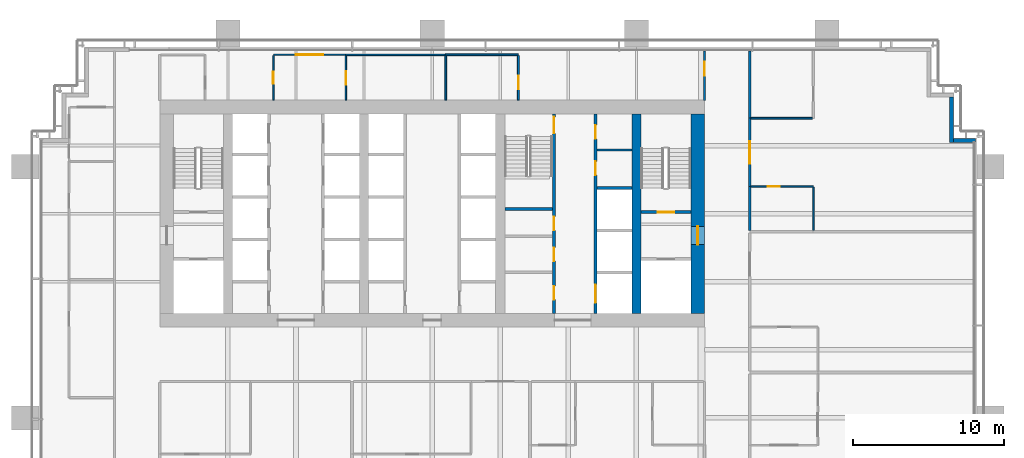
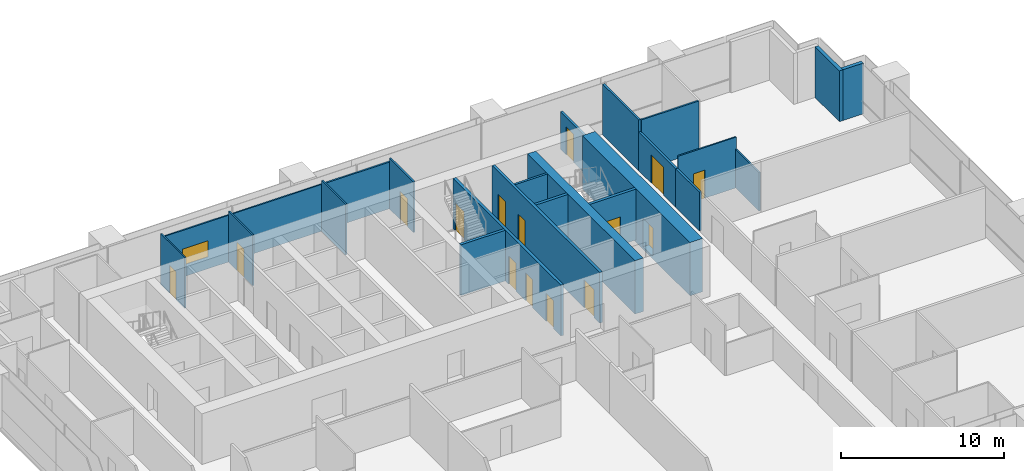
# One storey, part 15 of 19: 24 walls, 15 doors, 1 window, 16 openings.
"""IFC4 building model written with IfcOpenShell, lengths in metres."""

from ifc_helpers import new_model, si_unit, direction, frame, frame_2d, origin, place, context, subcontext, project, spatial, rectangle, extrude, material, layer, layer_set, type_object, element, fill, save


model = new_model("IFC4")

# Units and contexts
model_context = context("Model", 3, precision=1e-05, world=origin(), true_north=direction((0.0, 1.0)))
body_context = subcontext(model_context, "Body", "Model", "MODEL_VIEW")
ifc_project = project(units=[si_unit("LENGTHUNIT", "METRE"), si_unit("AREAUNIT", "SQUARE_METRE"), si_unit("VOLUMEUNIT", "CUBIC_METRE"), si_unit("PLANEANGLEUNIT", "RADIAN"), si_unit("MASSUNIT", "GRAM", prefix="KILO")], contexts=[model_context])

# Site, building, storey
site_placement = place(None, origin())
site = spatial("IfcSite", under=ifc_project, at=site_placement, CompositionType="ELEMENT")
building_placement = place(site_placement, origin())
building = spatial("IfcBuilding", under=site, at=building_placement, Name="Rattan Terrace Tower", CompositionType="ELEMENT")
storey_placement = place(building_placement, frame((0.0, 0.0, 111.699951171875)))
storey = spatial("IfcBuildingStorey", under=building, at=storey_placement, Name="L25", CompositionType="ELEMENT", Elevation=111.699951171875)

# Wall
ifc_material_1 = material(Name="Gypsum board partition")
ifc_layer_1 = layer(ifc_material_1, 0.14990234375)
ifc_layer_set_1 = layer_set([ifc_layer_1], Name="Core partition 150")
wall_type_1 = type_object("IfcWallType", Name="Core partition 150", PredefinedType="PARTITIONING", material=ifc_layer_set_1)
wall_1_placement = place(storey_placement, frame((10.89990234375, 4.199951171875, 0.0), z_axis=(0.0, 0.0, 1.0), x_axis=(1.0, 0.0, 0.0)))
element("IfcWall", 1, at=wall_1_placement, inside=storey, type_object=wall_type_1, Name="Riser room wall", PredefinedType="PARTITIONING", context=body_context, shape_type="SweptSolid", body=[
    extrude(rectangle(XDim=2.300048828125, YDim=0.14990234375, at=frame_2d((1.14990234375, 0.0))), origin(), (0.0, 0.0, 1.0), 3.800048828125),
])

# Wall, opening, door
ifc_material_2 = material(Name="Gypsum board partition")
ifc_layer_2 = layer(ifc_material_2, 0.199951171875)
ifc_layer_set_2 = layer_set([ifc_layer_2], Name="Core partition 200")
wall_type_2 = type_object("IfcWallType", Name="Core partition 200", PredefinedType="PARTITIONING", material=ifc_layer_set_2)
wall_2_placement = place(storey_placement, frame((13.800048828125, 0.10009765625, 0.0), z_axis=(0.0, 0.0, 1.0), x_axis=(1.0, 0.0, 0.0)))
wall_2 = element("IfcWall", 2, at=wall_2_placement, inside=storey, type_object=wall_type_2, Name="Stair enclosure wall", PredefinedType="PARTITIONING", context=body_context, shape_type="SweptSolid", body=[
    extrude(rectangle(XDim=3.300048828125, YDim=0.199951171875, at=frame_2d((1.64990234375, 0.0))), origin(), (0.0, 0.0, 1.0), 3.800048828125),
])
opening_1_placement = place(wall_2_placement, frame((1.10009765625, 0.0, 0.0)))
opening_1 = element("IfcOpeningElement", 3, at=opening_1_placement, cuts=wall_2, Name="Opening L25-D004", PredefinedType="OPENING", context=body_context, shape_type="SweptSolid", body=[
    extrude(rectangle(XDim=1.10009765625, YDim=2.10009765625, at=frame_2d((0.550048828125, 1.050048828125))), frame((0.0, 0.110595703125, 0.0), z_axis=(0.0, -1.0, 0.0), x_axis=(1.0, 0.0, 0.0)), (0.0, 0.0, 1.0), 0.220947265625),
])
ifc_material_3 = material(Name="Hollow-metal fire door leaf")
door_type_1 = type_object("IfcDoorType", Name="Core stair door 1100", OperationType="NOTDEFINED", PredefinedType="DOOR", material=ifc_material_3)
door_1_placement = place(opening_1_placement, origin())
door_1 = element("IfcDoor", 4, at=door_1_placement, inside=storey, type_object=door_type_1, Name="Door L25-D004", OperationType="SINGLE_SWING_RIGHT", OverallHeight=2.10009765625, OverallWidth=1.10009765625, PredefinedType="DOOR", context=body_context, shape_type="SweptSolid", body=[
    extrude(rectangle(XDim=1.10009765625, YDim=2.10009765625, at=frame_2d((0.550048828125, 1.050048828125))), frame((0.0, 0.02490234375, 0.0), z_axis=(0.0, -1.0, 0.0), x_axis=(1.0, 0.0, 0.0)), (0.0, 0.0, 1.0), 0.050048828125),
])
fill(opening_1, door_1)

# Wall, openings, doors
wall_3_placement = place(storey_placement, frame((8.050048828125, -6.60009765625, 0.0), z_axis=(0.0, 0.0, 1.0), x_axis=(0.0, 1.0, 0.0)))
wall_3 = element("IfcWall", 5, at=wall_3_placement, inside=storey, type_object=wall_type_2, Name="Lobby wall west", PredefinedType="PARTITIONING", context=body_context, shape_type="SweptSolid", body=[
    extrude(rectangle(XDim=13.2001953125, YDim=0.199951171875, at=frame_2d((6.60009765625, 0.0))), origin(), (0.0, 0.0, 1.0), 3.800048828125),
])
opening_2_placement = place(wall_3_placement, frame((0.909912109375, 0.0, 0.0)))
opening_2 = element("IfcOpeningElement", 6, at=opening_2_placement, cuts=wall_3, Name="Opening L25-D011", PredefinedType="OPENING", context=body_context, shape_type="SweptSolid", body=[
    extrude(rectangle(XDim=0.89990234375, YDim=2.10009765625, at=frame_2d((0.449951171875, 1.050048828125))), frame((0.0, 0.110595703125, 0.0), z_axis=(0.0, -1.0, 0.0), x_axis=(1.0, 0.0, 0.0)), (0.0, 0.0, 1.0), 0.220947265625),
])
opening_3_placement = place(wall_3_placement, frame((3.4599609375, 0.0, 0.0)))
opening_3 = element("IfcOpeningElement", 7, at=opening_3_placement, cuts=wall_3, Name="Opening L25-D012", PredefinedType="OPENING", context=body_context, shape_type="SweptSolid", body=[
    extrude(rectangle(XDim=0.89990234375, YDim=2.10009765625, at=frame_2d((0.449951171875, 1.050048828125))), frame((0.0, 0.110595703125, 0.0), z_axis=(0.0, -1.0, 0.0), x_axis=(1.0, 0.0, 0.0)), (0.0, 0.0, 1.0), 0.220947265625),
])
opening_4_placement = place(wall_3_placement, frame((5.5, 0.0, 0.0)))
opening_4 = element("IfcOpeningElement", 8, at=opening_4_placement, cuts=wall_3, Name="Opening L25-D013", PredefinedType="OPENING", context=body_context, shape_type="SweptSolid", body=[
    extrude(rectangle(XDim=0.89990234375, YDim=2.10009765625, at=frame_2d((0.449951171875, 1.050048828125))), frame((0.0, 0.110595703125, 0.0), z_axis=(0.0, -1.0, 0.0), x_axis=(1.0, 0.0, 0.0)), (0.0, 0.0, 1.0), 0.220947265625),
])
opening_5_placement = place(wall_3_placement, frame((11.89990234375, 0.0, 0.0)))
opening_5 = element("IfcOpeningElement", 9, at=opening_5_placement, cuts=wall_3, Name="Opening L25-D014", PredefinedType="OPENING", context=body_context, shape_type="SweptSolid", body=[
    extrude(rectangle(XDim=1.10009765625, YDim=2.10009765625, at=frame_2d((0.550048828125, 1.050048828125))), frame((0.0, 0.110595703125, 0.0), z_axis=(0.0, -1.0, 0.0), x_axis=(1.0, 0.0, 0.0)), (0.0, 0.0, 1.0), 0.220947265625),
])
ifc_material_4 = material(Name="Hollow-metal fire door leaf")
door_type_2 = type_object("IfcDoorType", Name="Core service room door 900", OperationType="NOTDEFINED", PredefinedType="DOOR", material=ifc_material_4)
door_2_placement = place(opening_4_placement, origin())
door_2 = element("IfcDoor", 10, at=door_2_placement, inside=storey, type_object=door_type_2, Name="Door L25-D013", OperationType="SINGLE_SWING_RIGHT", OverallHeight=2.10009765625, OverallWidth=0.89990234375, PredefinedType="DOOR", context=body_context, shape_type="SweptSolid", body=[
    extrude(rectangle(XDim=0.89990234375, YDim=2.10009765625, at=frame_2d((0.449951171875, 1.050048828125))), frame((0.0, 0.02490234375, 0.0), z_axis=(0.0, -1.0, 0.0), x_axis=(1.0, 0.0, 0.0)), (0.0, 0.0, 1.0), 0.050048828125),
])
fill(opening_4, door_2)
door_3_placement = place(opening_5_placement, origin())
door_3 = element("IfcDoor", 11, at=door_3_placement, inside=storey, type_object=door_type_1, Name="Door L25-D014", OperationType="SINGLE_SWING_LEFT", OverallHeight=2.10009765625, OverallWidth=1.10009765625, PredefinedType="DOOR", context=body_context, shape_type="SweptSolid", body=[
    extrude(rectangle(XDim=1.10009765625, YDim=2.10009765625, at=frame_2d((0.550048828125, 1.050048828125))), frame((0.0, 0.02490234375, 0.0), z_axis=(0.0, -1.0, 0.0), x_axis=(1.0, 0.0, 0.0)), (0.0, 0.0, 1.0), 0.050048828125),
])
fill(opening_5, door_3)
ifc_material_5 = material(Name="Hollow-metal fire door leaf")
door_type_3 = type_object("IfcDoorType", Name="Core toilet door 900", OperationType="NOTDEFINED", PredefinedType="DOOR", material=ifc_material_5)
door_4_placement = place(opening_2_placement, origin())
door_4 = element("IfcDoor", 12, at=door_4_placement, inside=storey, type_object=door_type_3, Name="Door L25-D011", OperationType="SINGLE_SWING_RIGHT", OverallHeight=2.10009765625, OverallWidth=0.89990234375, PredefinedType="DOOR", context=body_context, shape_type="SweptSolid", body=[
    extrude(rectangle(XDim=0.89990234375, YDim=2.10009765625, at=frame_2d((0.449951171875, 1.050048828125))), frame((0.0, 0.02490234375, 0.0), z_axis=(0.0, -1.0, 0.0), x_axis=(1.0, 0.0, 0.0)), (0.0, 0.0, 1.0), 0.050048828125),
])
fill(opening_2, door_4)
door_5_placement = place(opening_3_placement, origin())
door_5 = element("IfcDoor", 13, at=door_5_placement, inside=storey, type_object=door_type_3, Name="Door L25-D012", OperationType="SINGLE_SWING_LEFT", OverallHeight=2.10009765625, OverallWidth=0.89990234375, PredefinedType="DOOR", context=body_context, shape_type="SweptSolid", body=[
    extrude(rectangle(XDim=0.89990234375, YDim=2.10009765625, at=frame_2d((0.449951171875, 1.050048828125))), frame((0.0, 0.02490234375, 0.0), z_axis=(0.0, -1.0, 0.0), x_axis=(1.0, 0.0, 0.0)), (0.0, 0.0, 1.0), 0.050048828125),
])
fill(opening_3, door_5)

# Wall
wall_4_placement = place(storey_placement, frame((4.800048828125, 0.300048828125, 0.0), z_axis=(0.0, 0.0, 1.0), x_axis=(1.0, 0.0, 0.0)))
element("IfcWall", 14, at=wall_4_placement, inside=storey, type_object=wall_type_2, Name="Stair enclosure wall", PredefinedType="PARTITIONING", context=body_context, shape_type="SweptSolid", body=[
    extrude(rectangle(XDim=3.14990234375, YDim=0.199951171875, at=frame_2d((1.574951171875, 0.0))), origin(), (0.0, 0.0, 1.0), 3.800048828125),
])

# Wall, opening, door
ifc_material_6 = material(Name="Concrete C70/85", Category="concrete")
ifc_layer_3 = layer(ifc_material_6, 0.89990234375)
ifc_layer_set_3 = layer_set([ifc_layer_3], Name="Core ring wall 900 C70/85")
wall_type_3 = type_object("IfcWallType", Name="Core ring wall 900 C70/85", PredefinedType="SHEAR", material=ifc_layer_set_3)
wall_5_placement = place(storey_placement, frame((17.550048828125, -6.60009765625, -0.199951171875), z_axis=(0.0, 0.0, 1.0), x_axis=(0.0, 1.0, 0.0)))
wall_5 = element("IfcWall", 15, at=wall_5_placement, inside=storey, type_object=wall_type_3, Name="Rear core wall east", PredefinedType="SHEAR", context=body_context, shape_type="SweptSolid", body=[
    extrude(rectangle(XDim=13.2001953125, YDim=0.89990234375, at=frame_2d((6.60009765625, 0.0))), origin(), (0.0, 0.0, 1.0), 4.0),
])
opening_6_placement = place(wall_5_placement, frame((4.550048828125, 0.0, 0.199951171875)))
opening_6 = element("IfcOpeningElement", 16, at=opening_6_placement, cuts=wall_5, Name="Opening L25-D003", PredefinedType="OPENING", context=body_context, shape_type="SweptSolid", body=[
    extrude(rectangle(XDim=1.199951171875, YDim=2.10009765625, at=frame_2d((0.60009765625, 1.050048828125))), frame((0.0, 0.46044921875, 0.0), z_axis=(0.0, -1.0, 0.0), x_axis=(1.0, 0.0, 0.0)), (0.0, 0.0, 1.0), 0.9208984375),
])
ifc_material_7 = material(Name="Hollow-metal fire door leaf")
door_type_4 = type_object("IfcDoorType", Name="Core fire-fighting lobby door 1200", OperationType="NOTDEFINED", PredefinedType="DOOR", material=ifc_material_7)
door_6_placement = place(opening_6_placement, origin())
door_6 = element("IfcDoor", 17, at=door_6_placement, inside=storey, type_object=door_type_4, Name="Door L25-D003", OperationType="SINGLE_SWING_LEFT", OverallHeight=2.10009765625, OverallWidth=1.199951171875, PredefinedType="DOOR", context=body_context, shape_type="SweptSolid", body=[
    extrude(rectangle(XDim=1.199951171875, YDim=2.10009765625, at=frame_2d((0.60009765625, 1.050048828125))), frame((0.0, 0.02490234375, 0.0), z_axis=(0.0, -1.0, 0.0), x_axis=(1.0, 0.0, 0.0)), (0.0, 0.0, 1.0), 0.050048828125),
])
fill(opening_6, door_6)

# Walls
ifc_material_8 = material(Name="Concrete C70/85", Category="concrete")
ifc_layer_4 = layer(ifc_material_8, 0.60009765625)
ifc_layer_set_4 = layer_set([ifc_layer_4], Name="Core spine wall 600 C70/85")
wall_type_4 = type_object("IfcWallType", Name="Core spine wall 600 C70/85", PredefinedType="SHEAR", material=ifc_layer_set_4)
wall_6_placement = place(storey_placement, frame((13.5, -6.60009765625, -0.199951171875), z_axis=(0.0, 0.0, 1.0), x_axis=(0.0, 1.0, 0.0)))
element("IfcWall", 18, at=wall_6_placement, inside=storey, type_object=wall_type_4, Name="Core spine wall 4", PredefinedType="SHEAR", context=body_context, shape_type="SweptSolid", body=[
    extrude(rectangle(XDim=13.2001953125, YDim=0.60009765625, at=frame_2d((6.60009765625, 0.0))), origin(), (0.0, 0.0, 1.0), 4.0),
])
ifc_material_9 = material(Name="Insulated aluminium-clad stud wall", Category="aluminium")
ifc_layer_5 = layer(ifc_material_9, 0.25)
ifc_layer_set_5 = layer_set([ifc_layer_5], Name="Facade Riser Wall 250")
wall_type_5 = type_object("IfcWallType", Name="Facade Riser Wall 250", PredefinedType="SOLIDWALL", material=ifc_layer_set_5)
wall_7_placement = place(storey_placement, frame((35.909912109375, 4.830078125, 0.0), z_axis=(0.0, 0.0, 1.0), x_axis=(-1.0, 0.0, 0.0)))
element("IfcWall", 19, at=wall_7_placement, inside=storey, type_object=wall_type_5, Name="Riser wall L25-6", PredefinedType="SOLIDWALL", context=body_context, shape_type="SweptSolid", body=[
    extrude(rectangle(XDim=1.454833984375, YDim=0.25, at=frame_2d((0.7275390625, 0.0))), origin(), (0.0, 0.0, 1.0), 3.800048828125),
])
wall_8_placement = place(storey_placement, frame((34.330078125, 4.705078125, 0.0), z_axis=(0.0, 0.0, 1.0), x_axis=(0.0, 1.0, 0.0)))
element("IfcWall", 20, at=wall_8_placement, inside=storey, type_object=wall_type_5, Name="Riser wall L25-7", PredefinedType="SOLIDWALL", context=body_context, shape_type="SweptSolid", body=[
    extrude(rectangle(XDim=3.0, YDim=0.25, at=frame_2d((1.5, 0.0))), origin(), (0.0, 0.0, 1.0), 3.800048828125),
])

# Wall, opening, door
ifc_material_10 = material(Name="Gypsum board partition on steel studs", Category="steel")
ifc_layer_6 = layer(ifc_material_10, 0.10009765625)
ifc_layer_set_6 = layer_set([ifc_layer_6], Name="Floors Partition 100")
wall_type_6 = type_object("IfcWallType", Name="Floors Partition 100", PredefinedType="PARTITIONING", material=ifc_layer_set_6)
wall_9_placement = place(storey_placement, frame((25.199951171875, 1.800048828125, 0.0), z_axis=(0.0, 0.0, 1.0), x_axis=(-1.0, 0.0, 0.0)))
wall_9 = element("IfcWall", 21, at=wall_9_placement, inside=storey, type_object=wall_type_6, Name="pt-L25-058", PredefinedType="PARTITIONING", context=body_context, shape_type="SweptSolid", body=[
    extrude(rectangle(XDim=4.125, YDim=0.10009765625, at=frame_2d((2.0625, 0.0))), origin(), (0.0, 0.0, 1.0), 3.800048828125),
])
opening_7_placement = place(wall_9_placement, frame((2.22802734375, 0.0, 0.0)))
opening_7 = element("IfcOpeningElement", 22, at=opening_7_placement, cuts=wall_9, Name="Opening L25-D114", PredefinedType="OPENING", context=body_context, shape_type="SweptSolid", body=[
    extrude(rectangle(XDim=0.800048828125, YDim=2.10009765625, at=frame_2d((0.39990234375, 1.050048828125))), frame((0.0, 0.060546875, 0.0), z_axis=(0.0, -1.0, 0.0), x_axis=(1.0, 0.0, 0.0)), (0.0, 0.0, 1.0), 0.12109375),
])
ifc_material_11 = material(Name="Solid core timber door, painted", Category="wood")
door_type_5 = type_object("IfcDoorType", Name="Floors Store Door 800x2100", OperationType="NOTDEFINED", PredefinedType="DOOR", material=ifc_material_11)
door_7_placement = place(opening_7_placement, origin())
door_7 = element("IfcDoor", 23, at=door_7_placement, inside=storey, type_object=door_type_5, Name="d-L25-114", OperationType="SINGLE_SWING_RIGHT", OverallHeight=2.10009765625, OverallWidth=0.800048828125, PredefinedType="DOOR", context=body_context, shape_type="SweptSolid", body=[
    extrude(rectangle(XDim=0.800048828125, YDim=2.10009765625, at=frame_2d((0.39990234375, 1.050048828125))), frame((0.0, 0.02490234375, 0.0), z_axis=(0.0, -1.0, 0.0), x_axis=(1.0, 0.0, 0.0)), (0.0, 0.0, 1.0), 0.050048828125),
])
fill(opening_7, door_7)

# Wall
wall_10_placement = place(storey_placement, frame((25.199951171875, -1.110107421875, 0.0), z_axis=(0.0, 0.0, 1.0), x_axis=(0.0, 1.0, 0.0)))
element("IfcWall", 24, at=wall_10_placement, inside=storey, type_object=wall_type_6, Name="pt-L25-059", PredefinedType="PARTITIONING", context=body_context, shape_type="SweptSolid", body=[
    extrude(rectangle(XDim=2.860107421875, YDim=0.10009765625, at=frame_2d((1.43017578125, 0.0))), origin(), (0.0, 0.0, 1.0), 2.900146484375),
])

# Wall, opening, door
wall_11_placement = place(storey_placement, frame((-10.5, 10.449951171875, 0.0), z_axis=(0.0, 0.0, 1.0), x_axis=(0.0, -1.0, 0.0)))
wall_11 = element("IfcWall", 25, at=wall_11_placement, inside=storey, type_object=wall_type_6, Name="pt-L25-064", PredefinedType="PARTITIONING", context=body_context, shape_type="SweptSolid", body=[
    extrude(rectangle(XDim=2.949951171875, YDim=0.10009765625, at=frame_2d((1.47509765625, 0.0))), origin(), (0.0, 0.0, 1.0), 3.800048828125),
])
opening_8_placement = place(wall_11_placement, frame((1.074951171875, 0.0, 0.0)))
opening_8 = element("IfcOpeningElement", 26, at=opening_8_placement, cuts=wall_11, Name="Opening L25-D118", PredefinedType="OPENING", context=body_context, shape_type="SweptSolid", body=[
    extrude(rectangle(XDim=0.800048828125, YDim=2.10009765625, at=frame_2d((0.39990234375, 1.050048828125))), frame((0.0, 0.060546875, 0.0), z_axis=(0.0, -1.0, 0.0), x_axis=(1.0, 0.0, 0.0)), (0.0, 0.0, 1.0), 0.12109375),
])
door_8_placement = place(opening_8_placement, origin())
door_8 = element("IfcDoor", 27, at=door_8_placement, inside=storey, type_object=door_type_5, Name="d-L25-118", OperationType="SINGLE_SWING_LEFT", OverallHeight=2.10009765625, OverallWidth=0.800048828125, PredefinedType="DOOR", context=body_context, shape_type="SweptSolid", body=[
    extrude(rectangle(XDim=0.800048828125, YDim=2.10009765625, at=frame_2d((0.39990234375, 1.050048828125))), frame((0.0, 0.02490234375, 0.0), z_axis=(0.0, -1.0, 0.0), x_axis=(1.0, 0.0, 0.0)), (0.0, 0.0, 1.0), 0.050048828125),
])
fill(opening_8, door_8)

# Wall, opening, window
wall_12_placement = place(storey_placement, frame((-5.719970703125, 10.5, 0.0), z_axis=(0.0, 0.0, 1.0), x_axis=(-1.0, 0.0, 0.0)))
wall_12 = element("IfcWall", 28, at=wall_12_placement, inside=storey, type_object=wall_type_6, Name="pt-L25-065", PredefinedType="PARTITIONING", context=body_context, shape_type="SweptSolid", body=[
    extrude(rectangle(XDim=4.780029296875, YDim=0.10009765625, at=frame_2d((2.39013671875, 0.0))), origin(), (0.0, 0.0, 1.0), 3.5),
])
opening_9_placement = place(wall_12_placement, frame((1.47998046875, 0.0, 0.89990234375)))
opening_9 = element("IfcOpeningElement", 29, at=opening_9_placement, cuts=wall_12, Name="Opening L25-W104", PredefinedType="OPENING", context=body_context, shape_type="SweptSolid", body=[
    extrude(rectangle(XDim=1.800048828125, YDim=1.199951171875, at=frame_2d((0.89990234375, 0.60009765625))), frame((0.0, 0.060546875, 0.0), z_axis=(0.0, -1.0, 0.0), x_axis=(1.0, 0.0, 0.0)), (0.0, 0.0, 1.0), 0.12109375),
])
ifc_material_12 = material(Name="Glass, clear, fixed in aluminium frame", Category="aluminium")
window_type = type_object("IfcWindowType", Name="Interior Vision Window 1800x1200", PartitioningType="SINGLE_PANEL", PredefinedType="WINDOW", material=ifc_material_12)
window_placement = place(opening_9_placement, origin())
window = element("IfcWindow", 30, at=window_placement, inside=storey, type_object=window_type, Name="w-L25-104", OverallHeight=1.199951171875, OverallWidth=1.800048828125, PartitioningType="SINGLE_PANEL", PredefinedType="WINDOW", context=body_context, shape_type="SweptSolid", body=[
    extrude(rectangle(XDim=1.800048828125, YDim=1.199951171875, at=frame_2d((0.89990234375, 0.60009765625))), frame((0.0, 0.030029296875, 0.0), z_axis=(0.0, -1.0, 0.0), x_axis=(1.0, 0.0, 0.0)), (0.0, 0.0, 1.0), 0.06005859375),
])
fill(opening_9, window)

# Wall
wall_13_placement = place(storey_placement, frame((0.8798828125, 10.5, 0.0), z_axis=(0.0, 0.0, 1.0), x_axis=(-1.0, 0.0, 0.0)))
element("IfcWall", 31, at=wall_13_placement, inside=storey, type_object=wall_type_6, Name="pt-L25-066", PredefinedType="PARTITIONING", context=body_context, shape_type="SweptSolid", body=[
    extrude(rectangle(XDim=6.599853515625, YDim=0.10009765625, at=frame_2d((3.2998046875, 0.0))), origin(), (0.0, 0.0, 1.0), 3.5),
])

# Wall, opening, door
wall_14_placement = place(storey_placement, frame((-5.699951171875, 10.449951171875, 0.0), z_axis=(0.0, 0.0, 1.0), x_axis=(0.0, -1.0, 0.0)))
wall_14 = element("IfcWall", 32, at=wall_14_placement, inside=storey, type_object=wall_type_6, Name="pt-L25-069", PredefinedType="PARTITIONING", context=body_context, shape_type="SweptSolid", body=[
    extrude(rectangle(XDim=2.949951171875, YDim=0.10009765625, at=frame_2d((1.47509765625, 0.0))), origin(), (0.0, 0.0, 1.0), 3.800048828125),
])
opening_10_placement = place(wall_14_placement, frame((1.02490234375, 0.0, 0.0)))
opening_10 = element("IfcOpeningElement", 33, at=opening_10_placement, cuts=wall_14, Name="Opening L25-D119", PredefinedType="OPENING", context=body_context, shape_type="SweptSolid", body=[
    extrude(rectangle(XDim=0.89990234375, YDim=2.10009765625, at=frame_2d((0.449951171875, 1.050048828125))), frame((0.0, 0.060546875, 0.0), z_axis=(0.0, -1.0, 0.0), x_axis=(1.0, 0.0, 0.0)), (0.0, 0.0, 1.0), 0.12109375),
])
ifc_material_13 = material(Name="Solid core timber door, painted", Category="wood")
door_type_6 = type_object("IfcDoorType", Name="Floors Door 900x2100", OperationType="NOTDEFINED", PredefinedType="DOOR", material=ifc_material_13)
door_9_placement = place(opening_10_placement, origin())
door_9 = element("IfcDoor", 34, at=door_9_placement, inside=storey, type_object=door_type_6, Name="d-L25-119", OperationType="SINGLE_SWING_RIGHT", OverallHeight=2.10009765625, OverallWidth=0.89990234375, PredefinedType="DOOR", context=body_context, shape_type="SweptSolid", body=[
    extrude(rectangle(XDim=0.89990234375, YDim=2.10009765625, at=frame_2d((0.449951171875, 1.050048828125))), frame((0.0, 0.02490234375, 0.0), z_axis=(0.0, -1.0, 0.0), x_axis=(1.0, 0.0, 0.0)), (0.0, 0.0, 1.0), 0.050048828125),
])
fill(opening_10, door_9)

ifc_material_14 = material(Name="Gypsum board partition on steel studs, fire rated", Category="steel")
ifc_layer_7 = layer(ifc_material_14, 0.14990234375)
ifc_layer_set_7 = layer_set([ifc_layer_7], Name="Floors Tenancy Wall 150")
wall_type_7 = type_object("IfcWallType", Name="Floors Tenancy Wall 150", PredefinedType="PARTITIONING", material=ifc_layer_set_7)
wall_15_placement = place(storey_placement, frame((21.0, 6.320068359375, 0.0), z_axis=(0.0, 0.0, 1.0), x_axis=(0.0, -1.0, 0.0)))
wall_15 = element("IfcWall", 35, at=wall_15_placement, inside=storey, type_object=wall_type_7, Name="pt-L25-016", PredefinedType="PARTITIONING", context=body_context, shape_type="SweptSolid", body=[
    extrude(rectangle(XDim=4.5400390625, YDim=0.14990234375, at=frame_2d((2.27001953125, 0.0))), origin(), (0.0, 0.0, 1.0), 2.900146484375),
])
opening_11_placement = place(wall_15_placement, frame((1.52001953125, 0.0, 0.0)))
opening_11 = element("IfcOpeningElement", 36, at=opening_11_placement, cuts=wall_15, Name="Opening L25-D113", PredefinedType="OPENING", context=body_context, shape_type="SweptSolid", body=[
    extrude(rectangle(XDim=1.5, YDim=2.10009765625, at=frame_2d((0.75, 1.050048828125))), frame((0.0, 0.08544921875, 0.0), z_axis=(0.0, -1.0, 0.0), x_axis=(1.0, 0.0, 0.0)), (0.0, 0.0, 1.0), 0.1708984375),
])
ifc_material_15 = material(Name="Steel fire door set", Category="steel")
door_type_7 = type_object("IfcDoorType", Name="Floors Unit Door Pair FD30S 1500x2100", OperationType="NOTDEFINED", PredefinedType="DOOR", material=ifc_material_15)
door_10_placement = place(opening_11_placement, origin())
door_10 = element("IfcDoor", 37, at=door_10_placement, inside=storey, type_object=door_type_7, Name="d-L25-113", OperationType="DOUBLE_DOOR_SINGLE_SWING", OverallHeight=2.10009765625, OverallWidth=1.5, PredefinedType="DOOR", context=body_context, shape_type="SweptSolid", body=[
    extrude(rectangle(XDim=1.5, YDim=2.10009765625, at=frame_2d((0.75, 1.050048828125))), frame((0.0, 0.02490234375, 0.0), z_axis=(0.0, -1.0, 0.0), x_axis=(1.0, 0.0, 0.0)), (0.0, 0.0, 1.0), 0.050048828125),
])
fill(opening_11, door_10)

# Walls
wall_16_placement = place(storey_placement, frame((21.0, 1.780029296875, 0.0), z_axis=(0.0, 0.0, 1.0), x_axis=(0.0, -1.0, 0.0)))
element("IfcWall", 38, at=wall_16_placement, inside=storey, type_object=wall_type_7, Name="pt-L25-017", PredefinedType="PARTITIONING", context=body_context, shape_type="SweptSolid", body=[
    extrude(rectangle(XDim=2.89013671875, YDim=0.14990234375, at=frame_2d((1.445068359375, 0.0))), origin(), (0.0, 0.0, 1.0), 2.900146484375),
])
wall_17_placement = place(storey_placement, frame((21.0, 10.739990234375, 0.0), z_axis=(0.0, 0.0, 1.0), x_axis=(0.0, -1.0, 0.0)))
element("IfcWall", 39, at=wall_17_placement, inside=storey, type_object=wall_type_7, Name="pt-L25-018", PredefinedType="PARTITIONING", context=body_context, shape_type="SweptSolid", body=[
    extrude(rectangle(XDim=4.419921875, YDim=0.14990234375, at=frame_2d((2.2099609375, 0.0))), origin(), (0.0, 0.0, 1.0), 3.800048828125),
])

# Wall, opening, door
wall_18_placement = place(storey_placement, frame((18.0, 7.47998046875, 0.0), z_axis=(0.0, 0.0, 1.0), x_axis=(0.0, 1.0, 0.0)))
wall_18 = element("IfcWall", 40, at=wall_18_placement, inside=storey, type_object=wall_type_7, Name="pt-L25-019", PredefinedType="PARTITIONING", context=body_context, shape_type="SweptSolid", body=[
    extrude(rectangle(XDim=3.260009765625, YDim=0.14990234375, at=frame_2d((1.6298828125, 0.0))), origin(), (0.0, 0.0, 1.0), 2.800048828125),
])
opening_12_placement = place(wall_18_placement, frame((1.64501953125, 0.0, 0.0)))
opening_12 = element("IfcOpeningElement", 41, at=opening_12_placement, cuts=wall_18, Name="Opening L25-D116", PredefinedType="OPENING", context=body_context, shape_type="SweptSolid", body=[
    extrude(rectangle(XDim=0.89990234375, YDim=2.10009765625, at=frame_2d((0.449951171875, 1.050048828125))), frame((0.0, 0.08544921875, 0.0), z_axis=(0.0, -1.0, 0.0), x_axis=(1.0, 0.0, 0.0)), (0.0, 0.0, 1.0), 0.1708984375),
])
ifc_material_16 = material(Name="Steel fire door set", Category="steel")
door_type_8 = type_object("IfcDoorType", Name="Floors Fire Door FD30S 900x2100", OperationType="NOTDEFINED", PredefinedType="DOOR", material=ifc_material_16)
door_11_placement = place(opening_12_placement, origin())
door_11 = element("IfcDoor", 42, at=door_11_placement, inside=storey, type_object=door_type_8, Name="d-L25-116", OperationType="SINGLE_SWING_RIGHT", OverallHeight=2.10009765625, OverallWidth=0.89990234375, PredefinedType="DOOR", context=body_context, shape_type="SweptSolid", body=[
    extrude(rectangle(XDim=0.89990234375, YDim=2.10009765625, at=frame_2d((0.449951171875, 1.050048828125))), frame((0.0, 0.02490234375, 0.0), z_axis=(0.0, -1.0, 0.0), x_axis=(1.0, 0.0, 0.0)), (0.0, 0.0, 1.0), 0.050048828125),
])
fill(opening_12, door_11)

# Walls
ifc_material_17 = material(Name="Moisture resistant gypsum board partition on steel studs with service cavity", Category="steel")
ifc_layer_8 = layer(ifc_material_17, 0.1201171875)
ifc_layer_set_8 = layer_set([ifc_layer_8], Name="Floors Wet Wall 120")
wall_type_8 = type_object("IfcWallType", Name="Floors Wet Wall 120", PredefinedType="PARTITIONING", material=ifc_layer_set_8)
wall_19_placement = place(storey_placement, frame((21.074951171875, 6.300048828125, 0.0), z_axis=(0.0, 0.0, 1.0), x_axis=(1.0, 0.0, 0.0)))
element("IfcWall", 43, at=wall_19_placement, inside=storey, type_object=wall_type_8, Name="pt-L25-060", PredefinedType="PARTITIONING", context=body_context, shape_type="SweptSolid", body=[
    extrude(rectangle(XDim=4.06494140625, YDim=0.1201171875, at=frame_2d((2.032470703125, 0.0))), origin(), (0.0, 0.0, 1.0), 3.800048828125),
])
wall_20_placement = place(storey_placement, frame((5.699951171875, 10.5, 0.0), z_axis=(0.0, 0.0, 1.0), x_axis=(-1.0, 0.0, 0.0)))
element("IfcWall", 44, at=wall_20_placement, inside=storey, type_object=wall_type_8, Name="pt-L25-067", PredefinedType="PARTITIONING", context=body_context, shape_type="SweptSolid", body=[
    extrude(rectangle(XDim=4.820068359375, YDim=0.1201171875, at=frame_2d((2.41015625, 0.0))), origin(), (0.0, 0.0, 1.0), 3.5),
])

# Wall, opening, door
wall_21_placement = place(storey_placement, frame((5.699951171875, 7.5, 0.0), z_axis=(0.0, 0.0, 1.0), x_axis=(0.0, 1.0, 0.0)))
wall_21 = element("IfcWall", 45, at=wall_21_placement, inside=storey, type_object=wall_type_8, Name="pt-L25-068", PredefinedType="PARTITIONING", context=body_context, shape_type="SweptSolid", body=[
    extrude(rectangle(XDim=2.93994140625, YDim=0.1201171875, at=frame_2d((1.469970703125, 0.0))), origin(), (0.0, 0.0, 1.0), 3.800048828125),
])
opening_13_placement = place(wall_21_placement, frame((0.7119140625, 0.0, 0.0)))
opening_13 = element("IfcOpeningElement", 46, at=opening_13_placement, cuts=wall_21, Name="Opening L25-D120", PredefinedType="OPENING", context=body_context, shape_type="SweptSolid", body=[
    extrude(rectangle(XDim=0.89990234375, YDim=2.10009765625, at=frame_2d((0.449951171875, 1.050048828125))), frame((0.0, 0.070556640625, 0.0), z_axis=(0.0, -1.0, 0.0), x_axis=(1.0, 0.0, 0.0)), (0.0, 0.0, 1.0), 0.14111328125),
])
door_12_placement = place(opening_13_placement, origin())
door_12 = element("IfcDoor", 47, at=door_12_placement, inside=storey, type_object=door_type_6, Name="d-L25-120", OperationType="SINGLE_SWING_LEFT", OverallHeight=2.10009765625, OverallWidth=0.89990234375, PredefinedType="DOOR", context=body_context, shape_type="SweptSolid", body=[
    extrude(rectangle(XDim=0.89990234375, YDim=2.10009765625, at=frame_2d((0.449951171875, 1.050048828125))), frame((0.0, 0.02490234375, 0.0), z_axis=(0.0, -1.0, 0.0), x_axis=(1.0, 0.0, 0.0)), (0.0, 0.0, 1.0), 0.050048828125),
])
fill(opening_13, door_12)

# Wall
wall_22_placement = place(storey_placement, frame((0.89990234375, 10.43994140625, 0.0), z_axis=(0.0, 0.0, 1.0), x_axis=(0.0, -1.0, 0.0)))
element("IfcWall", 48, at=wall_22_placement, inside=storey, type_object=wall_type_8, Name="pt-L25-070", PredefinedType="PARTITIONING", context=body_context, shape_type="SweptSolid", body=[
    extrude(rectangle(XDim=2.93994140625, YDim=0.1201171875, at=frame_2d((1.469970703125, 0.0))), origin(), (0.0, 0.0, 1.0), 3.800048828125),
])

# Wall, openings, doors
ifc_material_18 = material(Name="Gypsum shaft wall system")
ifc_layer_9 = layer(ifc_material_18, 0.199951171875)
ifc_layer_set_9 = layer_set([ifc_layer_9], Name="Lift shaft wall 200")
wall_type_9 = type_object("IfcWallType", Name="Lift shaft wall 200", PredefinedType="PARTITIONING", material=ifc_layer_set_9)
wall_23_placement = place(storey_placement, frame((10.800048828125, -6.60009765625, 0.0), z_axis=(0.0, 0.0, 1.0), x_axis=(0.0, 1.0, 0.0)))
wall_23 = element("IfcWall", 49, at=wall_23_placement, inside=storey, type_object=wall_type_9, Name="Lift shaft front wall", PredefinedType="PARTITIONING", context=body_context, shape_type="SweptSolid", body=[
    extrude(rectangle(XDim=13.2001953125, YDim=0.199951171875, at=frame_2d((6.60009765625, 0.0))), origin(), (0.0, 0.0, 1.0), 3.800048828125),
])
opening_14_placement = place(wall_23_placement, frame((0.699951171875, 0.0, 0.0)))
opening_14 = element("IfcOpeningElement", 50, at=opening_14_placement, cuts=wall_23, Name="Opening L25-LD-SV1", PredefinedType="OPENING", context=body_context, shape_type="SweptSolid", body=[
    extrude(rectangle(XDim=1.199951171875, YDim=2.10009765625, at=frame_2d((0.60009765625, 1.050048828125))), frame((0.0, 0.110595703125, 0.0), z_axis=(0.0, -1.0, 0.0), x_axis=(1.0, 0.0, 0.0)), (0.0, 0.0, 1.0), 0.220947265625),
])
opening_15_placement = place(wall_23_placement, frame((9.14990234375, 0.0, 0.0)))
opening_15 = element("IfcOpeningElement", 51, at=opening_15_placement, cuts=wall_23, Name="Opening L25-D016", PredefinedType="OPENING", context=body_context, shape_type="SweptSolid", body=[
    extrude(rectangle(XDim=0.89990234375, YDim=2.10009765625, at=frame_2d((0.449951171875, 1.050048828125))), frame((0.0, 0.110595703125, 0.0), z_axis=(0.0, -1.0, 0.0), x_axis=(1.0, 0.0, 0.0)), (0.0, 0.0, 1.0), 0.220947265625),
])
opening_16_placement = place(wall_23_placement, frame((11.550048828125, 0.0, 0.0)))
opening_16 = element("IfcOpeningElement", 52, at=opening_16_placement, cuts=wall_23, Name="Opening L25-D017", PredefinedType="OPENING", context=body_context, shape_type="SweptSolid", body=[
    extrude(rectangle(XDim=0.89990234375, YDim=2.10009765625, at=frame_2d((0.449951171875, 1.050048828125))), frame((0.0, 0.110595703125, 0.0), z_axis=(0.0, -1.0, 0.0), x_axis=(1.0, 0.0, 0.0)), (0.0, 0.0, 1.0), 0.220947265625),
])
ifc_material_19 = material(Name="Brushed stainless landing door panel")
door_type_9 = type_object("IfcDoorType", Name="Core lift landing door 1200", OperationType="DOUBLE_DOOR_SLIDING", PredefinedType="DOOR", material=ifc_material_19)
door_13_placement = place(opening_14_placement, origin())
door_13 = element("IfcDoor", 53, at=door_13_placement, inside=storey, type_object=door_type_9, Name="Door L25-LD-SV1", OperationType="DOUBLE_DOOR_SLIDING", OverallHeight=2.10009765625, OverallWidth=1.199951171875, PredefinedType="DOOR", context=body_context, shape_type="SweptSolid", body=[
    extrude(rectangle(XDim=1.199951171875, YDim=2.10009765625, at=frame_2d((0.60009765625, 1.050048828125))), frame((0.0, 0.02490234375, 0.0), z_axis=(0.0, -1.0, 0.0), x_axis=(1.0, 0.0, 0.0)), (0.0, 0.0, 1.0), 0.050048828125),
])
fill(opening_14, door_13)
ifc_material_20 = material(Name="Hollow-metal fire door leaf")
door_type_10 = type_object("IfcDoorType", Name="Core riser door 900", OperationType="NOTDEFINED", PredefinedType="DOOR", material=ifc_material_20)
door_14_placement = place(opening_15_placement, origin())
door_14 = element("IfcDoor", 54, at=door_14_placement, inside=storey, type_object=door_type_10, Name="Door L25-D016", OperationType="SINGLE_SWING_RIGHT", OverallHeight=2.10009765625, OverallWidth=0.89990234375, PredefinedType="DOOR", context=body_context, shape_type="SweptSolid", body=[
    extrude(rectangle(XDim=0.89990234375, YDim=2.10009765625, at=frame_2d((0.449951171875, 1.050048828125))), frame((0.0, 0.02490234375, 0.0), z_axis=(0.0, -1.0, 0.0), x_axis=(1.0, 0.0, 0.0)), (0.0, 0.0, 1.0), 0.050048828125),
])
fill(opening_15, door_14)
door_15_placement = place(opening_16_placement, origin())
door_15 = element("IfcDoor", 55, at=door_15_placement, inside=storey, type_object=door_type_10, Name="Door L25-D017", OperationType="SINGLE_SWING_LEFT", OverallHeight=2.10009765625, OverallWidth=0.89990234375, PredefinedType="DOOR", context=body_context, shape_type="SweptSolid", body=[
    extrude(rectangle(XDim=0.89990234375, YDim=2.10009765625, at=frame_2d((0.449951171875, 1.050048828125))), frame((0.0, 0.02490234375, 0.0), z_axis=(0.0, -1.0, 0.0), x_axis=(1.0, 0.0, 0.0)), (0.0, 0.0, 1.0), 0.050048828125),
])
fill(opening_16, door_15)

# Wall
wall_24_placement = place(storey_placement, frame((10.89990234375, 1.699951171875, 0.0), z_axis=(0.0, 0.0, 1.0), x_axis=(1.0, 0.0, 0.0)))
element("IfcWall", 56, at=wall_24_placement, inside=storey, type_object=wall_type_9, Name="Lift shaft wall", PredefinedType="PARTITIONING", context=body_context, shape_type="SweptSolid", body=[
    extrude(rectangle(XDim=2.300048828125, YDim=0.199951171875, at=frame_2d((1.14990234375, 0.0))), origin(), (0.0, 0.0, 1.0), 3.800048828125),
])

save(model, "model.ifc")
